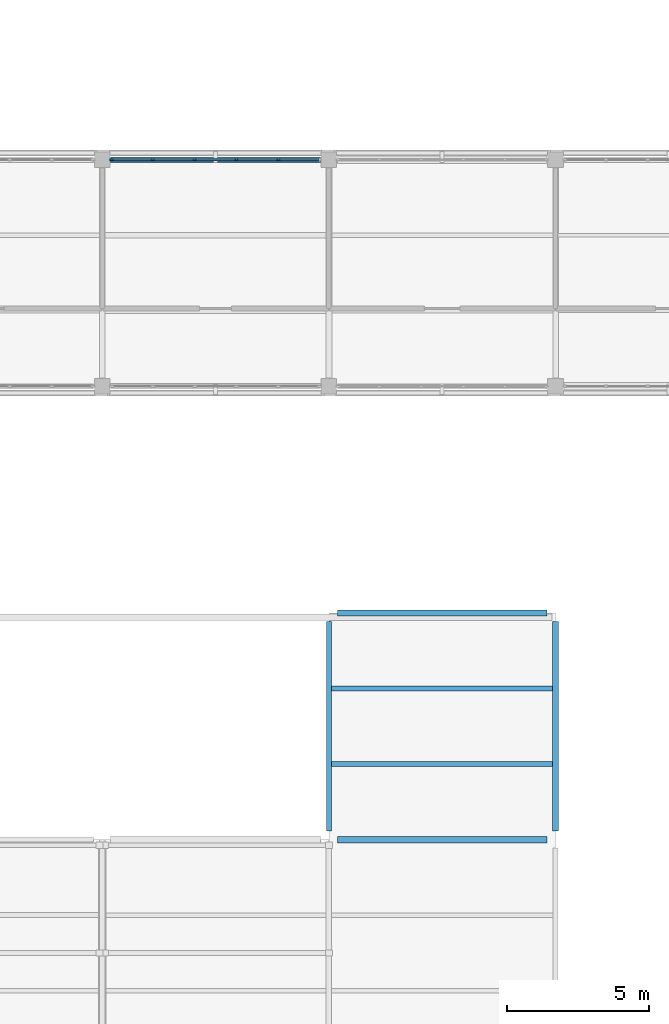
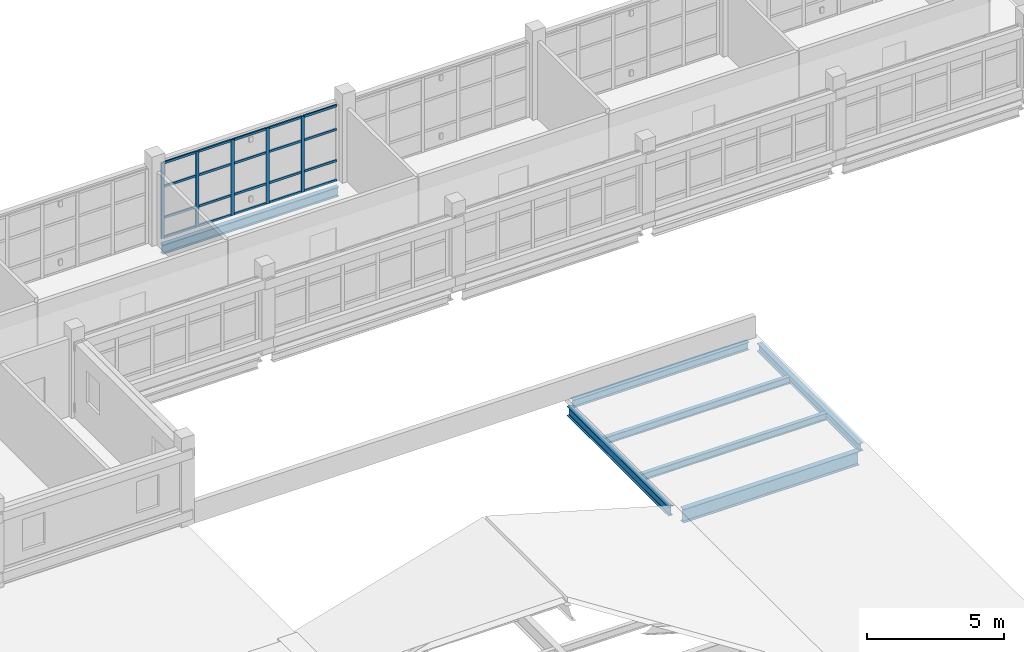
# One storey, part 12 of 107: 25 members, 7 beams, 1 element without a shape of its own.
"""IFC4 building model written with IfcOpenShell, lengths in metres."""

from ifc_helpers import new_model, si_unit, derived_unit, direction, frame, origin, origin_2d, place, context, subcontext, project, spatial, rectangle, i_section, extrude, material, layer, layer_set, material_profile, profile_set, type_object, element, aggregate, save


model = new_model("IFC4")

# Units and contexts
model_context = context("Model", 3, precision=1e-05, world=origin(), true_north=direction((0.0, 1.0)))
body_context = subcontext(model_context, "Body", "Model", "MODEL_VIEW")
ifc_project = project(units=[si_unit("LENGTHUNIT", "METRE"), si_unit("AREAUNIT", "SQUARE_METRE"), si_unit("VOLUMEUNIT", "CUBIC_METRE"), si_unit("PLANEANGLEUNIT", "RADIAN"), si_unit("MASSUNIT", "GRAM", prefix="KILO"), derived_unit("THERMALTRANSMITTANCEUNIT", [(si_unit("MASSUNIT", "GRAM", prefix="KILO"), 1), (si_unit("TIMEUNIT", "SECOND"), -3), (si_unit("THERMODYNAMICTEMPERATUREUNIT", "KELVIN"), -1)])], contexts=[model_context])

# Site, building, storey
site_placement = place(None, origin())
site = spatial("IfcSite", under=ifc_project, at=site_placement, CompositionType="ELEMENT")
building_placement = place(site_placement, origin())
building = spatial("IfcBuilding", under=site, at=building_placement, Name="Veyamyaing Civic Hall", CompositionType="ELEMENT")
storey_placement = place(building_placement, frame((0.0, 0.0, 13.860107421875)))
storey = spatial("IfcBuildingStorey", under=building, at=storey_placement, Name="L03", CompositionType="ELEMENT", Elevation=13.860107421875)

# Beams
ifc_material_1 = material(Name="Steel ASTM A992", Category="steel")
ifc_material_profile_1 = material_profile(ifc_material_1, i_section(OverallWidth=0.22802734375, OverallDepth=0.60791015625, WebThickness=0.01123046875, FlangeThickness=0.017333984375, FilletRadius=0.012939453125, at=origin_2d()), Name="W610X113")
ifc_profile_set_1 = profile_set([ifc_material_profile_1], Name="Steel ASTM A992")
beam_type_1 = type_object("IfcBeamType", Name="B-06", PredefinedType="BEAM", material=ifc_profile_set_1)
beam_1_placement = place(storey_placement, frame((32.300048828125, 32.0, -0.544189453125), z_axis=(1.0, 0.0, 0.0), x_axis=(0.0, 1.0, 0.0)))
element("IfcBeam", 1, at=beam_1_placement, inside=storey, type_object=beam_type_1, Name="Girder B-06 L03 Grid E 5-6", PredefinedType="BEAM", context=body_context, shape_type="SweptSolid", body=[
    extrude(i_section(OverallWidth=0.22802734375, OverallDepth=0.60791015625, WebThickness=0.01123046875, FlangeThickness=0.017333984375, FilletRadius=0.012939453125, at=origin_2d()), origin(), (0.0, 0.0, 1.0), 7.39990234375),
])
ifc_material_profile_2 = material_profile(ifc_material_1, i_section(OverallWidth=0.179931640625, OverallDepth=0.4130859375, WebThickness=0.009765625, FlangeThickness=0.01611328125, FilletRadius=0.010009765625, at=origin_2d()), Name="W410X74")
ifc_profile_set_2 = profile_set([ifc_material_profile_2], Name="Steel ASTM A992")
beam_type_2 = type_object("IfcBeamType", Name="B-10", PredefinedType="SPANDREL", material=ifc_profile_set_2)
beam_2_placement = place(storey_placement, frame((32.0, 32.300048828125, -0.446533203125), z_axis=(0.0, 1.0, 0.0), x_axis=(-1.0, 0.0, 0.0)))
element("IfcBeam", 2, at=beam_2_placement, inside=storey, type_object=beam_type_2, Name="Girder B-10 L03 Grid 5 E-F", PredefinedType="SPANDREL", context=body_context, shape_type="SweptSolid", body=[
    extrude(i_section(OverallWidth=0.179931640625, OverallDepth=0.4130859375, WebThickness=0.009765625, FlangeThickness=0.01611328125, FilletRadius=0.010009765625, at=origin_2d()), origin(), (0.0, 0.0, 1.0), 7.39990234375),
])
ifc_material_profile_3 = material_profile(ifc_material_1, i_section(OverallWidth=0.2041015625, OverallDepth=0.35009765625, WebThickness=0.0078125, FlangeThickness=0.01513671875, FilletRadius=0.010009765625, at=origin_2d()), Name="W360X72")
ifc_profile_set_3 = profile_set([ifc_material_profile_3], Name="Steel ASTM A992")
beam_type_3 = type_object("IfcBeamType", Name="B-11", PredefinedType="SPANDREL", material=ifc_profile_set_3)
for number, where, z_axis, x_axis, name in (
    (3, (32.300048828125, 40.0, -0.4150390625), (1.0, 0.0, 0.0), (0.0, 1.0, 0.0), "Girder B-11 L03 Grid F 5-6"),
    (4, (40.0, 32.300048828125, -0.4150390625), (0.0, 1.0, 0.0), (-1.0, 0.0, 0.0), "Girder B-11 L03 Grid 6 E-F"),
):
    element("IfcBeam", number, at=place(storey_placement, frame(where, z_axis=z_axis, x_axis=x_axis)), inside=storey, type_object=beam_type_3, Name=name, PredefinedType="SPANDREL", context=body_context, shape_type="SweptSolid", body=[
        extrude(i_section(OverallWidth=0.2041015625, OverallDepth=0.35009765625, WebThickness=0.0078125, FlangeThickness=0.01513671875, FilletRadius=0.010009765625, at=origin_2d()), origin(), (0.0, 0.0, 1.0), 7.39990234375),
    ])
ifc_material_profile_4 = material_profile(ifc_material_1, i_section(OverallWidth=0.180908203125, OverallDepth=0.4169921875, WebThickness=0.010986328125, FlangeThickness=0.018310546875, FilletRadius=0.010009765625, at=origin_2d()), Name="W410X85")
ifc_profile_set_4 = profile_set([ifc_material_profile_4], Name="Steel ASTM A992")
beam_type_4 = type_object("IfcBeamType", Name="B-19", PredefinedType="SPANDREL", material=ifc_profile_set_4)
beam_3_placement = place(storey_placement, frame((24.300048828125, 56.0, -0.463623046875), z_axis=(1.0, 0.0, 0.0), x_axis=(0.0, 1.0, 0.0)))
element("IfcBeam", 5, at=beam_3_placement, inside=storey, type_object=beam_type_4, Name="Girder B-19 L03 Grid H 4-5", PredefinedType="SPANDREL", context=body_context, shape_type="SweptSolid", body=[
    extrude(i_section(OverallWidth=0.180908203125, OverallDepth=0.4169921875, WebThickness=0.010986328125, FlangeThickness=0.018310546875, FilletRadius=0.010009765625, at=origin_2d()), origin(), (0.0, 0.0, 1.0), 7.39990234375),
])

# Curtain wall, members
ifc_material_2 = material(Name="Anodised aluminium 6063-T6", Category="aluminium")
ifc_layer = layer(ifc_material_2, 0.139892578125, Name="Anodised aluminium 6063-T6")
ifc_layer_set = layer_set([ifc_layer], Name="Anodised aluminium 6063-T6")
curtain_wall_type = type_object("IfcCurtainWallType", Name="CW-04", PredefinedType="NOTDEFINED", material=ifc_layer_set)
curtain_wall_placement = place(storey_placement, origin())
curtain_wall = element("IfcCurtainWall", 6, at=curtain_wall_placement, inside=storey, type_object=curtain_wall_type, Name="Unitized curtain wall CW-04 L03 N 4.7", PredefinedType="NOTDEFINED")
ifc_material_profile_5 = material_profile(ifc_material_2, rectangle(XDim=0.06005859375, YDim=0.139892578125, at=origin_2d()), Name="ALU-MUL-60X140")
ifc_profile_set_5 = profile_set([ifc_material_profile_5], Name="Anodised aluminium 6063-T6")
member_type_1 = type_object("IfcMemberType", Name="CWM-03", PredefinedType="MULLION", material=ifc_profile_set_5)
member_1_placement = place(storey_placement, frame((24.3349609375, 56.0, 0.0), z_axis=(0.0, 0.0, 1.0), x_axis=(0.0, 1.0, 0.0)))
member_1 = element("IfcMember", 7, at=member_1_placement, type_object=member_type_1, Name="CW-04 mullion 1", PredefinedType="MULLION", context=body_context, shape_type="SweptSolid", body=[
    extrude(rectangle(XDim=0.06005859375, YDim=0.139892578125, at=origin_2d()), origin(), (0.0, 0.0, 1.0), 3.364013671875),
])
member_2_placement = place(storey_placement, frame((25.782958984375, 56.0, 0.0), z_axis=(0.0, 0.0, 1.0), x_axis=(0.0, 1.0, 0.0)))
member_2 = element("IfcMember", 8, at=member_2_placement, type_object=member_type_1, Name="CW-04 mullion 2", PredefinedType="MULLION", context=body_context, shape_type="SweptSolid", body=[
    extrude(rectangle(XDim=0.06005859375, YDim=0.139892578125, at=origin_2d()), origin(), (0.0, 0.0, 1.0), 3.364013671875),
])
member_3_placement = place(storey_placement, frame((27.260986328125, 56.0, 0.0), z_axis=(0.0, 0.0, 1.0), x_axis=(0.0, 1.0, 0.0)))
member_3 = element("IfcMember", 9, at=member_3_placement, type_object=member_type_1, Name="CW-04 mullion 3", PredefinedType="MULLION", context=body_context, shape_type="SweptSolid", body=[
    extrude(rectangle(XDim=0.06005859375, YDim=0.139892578125, at=origin_2d()), origin(), (0.0, 0.0, 1.0), 3.364013671875),
])
member_4_placement = place(storey_placement, frame((28.739013671875, 56.0, 0.0), z_axis=(0.0, 0.0, 1.0), x_axis=(0.0, 1.0, 0.0)))
member_4 = element("IfcMember", 10, at=member_4_placement, type_object=member_type_1, Name="CW-04 mullion 4", PredefinedType="MULLION", context=body_context, shape_type="SweptSolid", body=[
    extrude(rectangle(XDim=0.06005859375, YDim=0.139892578125, at=origin_2d()), origin(), (0.0, 0.0, 1.0), 3.364013671875),
])
member_5_placement = place(storey_placement, frame((30.217041015625, 56.0, 0.0), z_axis=(0.0, 0.0, 1.0), x_axis=(0.0, 1.0, 0.0)))
member_5 = element("IfcMember", 11, at=member_5_placement, type_object=member_type_1, Name="CW-04 mullion 5", PredefinedType="MULLION", context=body_context, shape_type="SweptSolid", body=[
    extrude(rectangle(XDim=0.06005859375, YDim=0.139892578125, at=origin_2d()), origin(), (0.0, 0.0, 1.0), 3.364013671875),
])
ifc_material_profile_6 = material_profile(ifc_material_2, rectangle(XDim=0.06005859375, YDim=0.10009765625, at=origin_2d()), Name="ALU-TRN-60X100")
ifc_profile_set_6 = profile_set([ifc_material_profile_6], Name="Anodised aluminium 6063-T6")
member_type_2 = type_object("IfcMemberType", Name="CWT-03", PredefinedType="USERDEFINED", material=ifc_profile_set_6)
member_6_placement = place(storey_placement, frame((24.364990234375, 56.0, 0.02978515625), z_axis=(1.0, 0.0, 0.0), x_axis=(0.0, 1.0, 0.0)))
member_6 = element("IfcMember", 12, at=member_6_placement, type_object=member_type_2, Name="CW-04 transom 1.1", ObjectType="TRANSOM", PredefinedType="USERDEFINED", context=body_context, shape_type="SweptSolid", body=[
    extrude(rectangle(XDim=0.06005859375, YDim=0.10009765625, at=origin_2d()), origin(), (0.0, 0.0, 1.0), 1.387939453125),
])
member_7_placement = place(storey_placement, frame((24.364990234375, 56.0, 0.89990234375), z_axis=(1.0, 0.0, 0.0), x_axis=(0.0, 1.0, 0.0)))
member_7 = element("IfcMember", 13, at=member_7_placement, type_object=member_type_2, Name="CW-04 transom 1.2", ObjectType="TRANSOM", PredefinedType="USERDEFINED", context=body_context, shape_type="SweptSolid", body=[
    extrude(rectangle(XDim=0.06005859375, YDim=0.10009765625, at=origin_2d()), origin(), (0.0, 0.0, 1.0), 1.387939453125),
])
member_8_placement = place(storey_placement, frame((24.364990234375, 56.0, 2.287353515625), z_axis=(1.0, 0.0, 0.0), x_axis=(0.0, 1.0, 0.0)))
member_8 = element("IfcMember", 14, at=member_8_placement, type_object=member_type_2, Name="CW-04 transom 1.3", ObjectType="TRANSOM", PredefinedType="USERDEFINED", context=body_context, shape_type="SweptSolid", body=[
    extrude(rectangle(XDim=0.06005859375, YDim=0.10009765625, at=origin_2d()), origin(), (0.0, 0.0, 1.0), 1.387939453125),
])
member_9_placement = place(storey_placement, frame((24.364990234375, 56.0, 3.333984375), z_axis=(1.0, 0.0, 0.0), x_axis=(0.0, 1.0, 0.0)))
member_9 = element("IfcMember", 15, at=member_9_placement, type_object=member_type_2, Name="CW-04 transom 1.4", ObjectType="TRANSOM", PredefinedType="USERDEFINED", context=body_context, shape_type="SweptSolid", body=[
    extrude(rectangle(XDim=0.06005859375, YDim=0.10009765625, at=origin_2d()), origin(), (0.0, 0.0, 1.0), 1.387939453125),
])
member_10_placement = place(storey_placement, frame((25.81298828125, 56.0, 0.02978515625), z_axis=(1.0, 0.0, 0.0), x_axis=(0.0, 1.0, 0.0)))
member_10 = element("IfcMember", 16, at=member_10_placement, type_object=member_type_2, Name="CW-04 transom 2.1", ObjectType="TRANSOM", PredefinedType="USERDEFINED", context=body_context, shape_type="SweptSolid", body=[
    extrude(rectangle(XDim=0.06005859375, YDim=0.10009765625, at=origin_2d()), origin(), (0.0, 0.0, 1.0), 1.41796875),
])
member_11_placement = place(storey_placement, frame((25.81298828125, 56.0, 0.89990234375), z_axis=(1.0, 0.0, 0.0), x_axis=(0.0, 1.0, 0.0)))
member_11 = element("IfcMember", 17, at=member_11_placement, type_object=member_type_2, Name="CW-04 transom 2.2", ObjectType="TRANSOM", PredefinedType="USERDEFINED", context=body_context, shape_type="SweptSolid", body=[
    extrude(rectangle(XDim=0.06005859375, YDim=0.10009765625, at=origin_2d()), origin(), (0.0, 0.0, 1.0), 1.41796875),
])
member_12_placement = place(storey_placement, frame((25.81298828125, 56.0, 2.287353515625), z_axis=(1.0, 0.0, 0.0), x_axis=(0.0, 1.0, 0.0)))
member_12 = element("IfcMember", 18, at=member_12_placement, type_object=member_type_2, Name="CW-04 transom 2.3", ObjectType="TRANSOM", PredefinedType="USERDEFINED", context=body_context, shape_type="SweptSolid", body=[
    extrude(rectangle(XDim=0.06005859375, YDim=0.10009765625, at=origin_2d()), origin(), (0.0, 0.0, 1.0), 1.41796875),
])
member_13_placement = place(storey_placement, frame((25.81298828125, 56.0, 3.333984375), z_axis=(1.0, 0.0, 0.0), x_axis=(0.0, 1.0, 0.0)))
member_13 = element("IfcMember", 19, at=member_13_placement, type_object=member_type_2, Name="CW-04 transom 2.4", ObjectType="TRANSOM", PredefinedType="USERDEFINED", context=body_context, shape_type="SweptSolid", body=[
    extrude(rectangle(XDim=0.06005859375, YDim=0.10009765625, at=origin_2d()), origin(), (0.0, 0.0, 1.0), 1.41796875),
])
member_14_placement = place(storey_placement, frame((27.291015625, 56.0, 0.02978515625), z_axis=(1.0, 0.0, 0.0), x_axis=(0.0, 1.0, 0.0)))
member_14 = element("IfcMember", 20, at=member_14_placement, type_object=member_type_2, Name="CW-04 transom 3.1", ObjectType="TRANSOM", PredefinedType="USERDEFINED", context=body_context, shape_type="SweptSolid", body=[
    extrude(rectangle(XDim=0.06005859375, YDim=0.10009765625, at=origin_2d()), origin(), (0.0, 0.0, 1.0), 1.41796875),
])
member_15_placement = place(storey_placement, frame((27.291015625, 56.0, 0.89990234375), z_axis=(1.0, 0.0, 0.0), x_axis=(0.0, 1.0, 0.0)))
member_15 = element("IfcMember", 21, at=member_15_placement, type_object=member_type_2, Name="CW-04 transom 3.2", ObjectType="TRANSOM", PredefinedType="USERDEFINED", context=body_context, shape_type="SweptSolid", body=[
    extrude(rectangle(XDim=0.06005859375, YDim=0.10009765625, at=origin_2d()), origin(), (0.0, 0.0, 1.0), 1.41796875),
])
member_16_placement = place(storey_placement, frame((27.291015625, 56.0, 2.287353515625), z_axis=(1.0, 0.0, 0.0), x_axis=(0.0, 1.0, 0.0)))
member_16 = element("IfcMember", 22, at=member_16_placement, type_object=member_type_2, Name="CW-04 transom 3.3", ObjectType="TRANSOM", PredefinedType="USERDEFINED", context=body_context, shape_type="SweptSolid", body=[
    extrude(rectangle(XDim=0.06005859375, YDim=0.10009765625, at=origin_2d()), origin(), (0.0, 0.0, 1.0), 1.41796875),
])
member_17_placement = place(storey_placement, frame((27.291015625, 56.0, 3.333984375), z_axis=(1.0, 0.0, 0.0), x_axis=(0.0, 1.0, 0.0)))
member_17 = element("IfcMember", 23, at=member_17_placement, type_object=member_type_2, Name="CW-04 transom 3.4", ObjectType="TRANSOM", PredefinedType="USERDEFINED", context=body_context, shape_type="SweptSolid", body=[
    extrude(rectangle(XDim=0.06005859375, YDim=0.10009765625, at=origin_2d()), origin(), (0.0, 0.0, 1.0), 1.41796875),
])
member_18_placement = place(storey_placement, frame((28.76904296875, 56.0, 0.02978515625), z_axis=(1.0, 0.0, 0.0), x_axis=(0.0, 1.0, 0.0)))
member_18 = element("IfcMember", 24, at=member_18_placement, type_object=member_type_2, Name="CW-04 transom 4.1", ObjectType="TRANSOM", PredefinedType="USERDEFINED", context=body_context, shape_type="SweptSolid", body=[
    extrude(rectangle(XDim=0.06005859375, YDim=0.10009765625, at=origin_2d()), origin(), (0.0, 0.0, 1.0), 1.41796875),
])
member_19_placement = place(storey_placement, frame((28.76904296875, 56.0, 0.89990234375), z_axis=(1.0, 0.0, 0.0), x_axis=(0.0, 1.0, 0.0)))
member_19 = element("IfcMember", 25, at=member_19_placement, type_object=member_type_2, Name="CW-04 transom 4.2", ObjectType="TRANSOM", PredefinedType="USERDEFINED", context=body_context, shape_type="SweptSolid", body=[
    extrude(rectangle(XDim=0.06005859375, YDim=0.10009765625, at=origin_2d()), origin(), (0.0, 0.0, 1.0), 1.41796875),
])
member_20_placement = place(storey_placement, frame((28.76904296875, 56.0, 2.287353515625), z_axis=(1.0, 0.0, 0.0), x_axis=(0.0, 1.0, 0.0)))
member_20 = element("IfcMember", 26, at=member_20_placement, type_object=member_type_2, Name="CW-04 transom 4.3", ObjectType="TRANSOM", PredefinedType="USERDEFINED", context=body_context, shape_type="SweptSolid", body=[
    extrude(rectangle(XDim=0.06005859375, YDim=0.10009765625, at=origin_2d()), origin(), (0.0, 0.0, 1.0), 1.41796875),
])
member_21_placement = place(storey_placement, frame((28.76904296875, 56.0, 3.333984375), z_axis=(1.0, 0.0, 0.0), x_axis=(0.0, 1.0, 0.0)))
member_21 = element("IfcMember", 27, at=member_21_placement, type_object=member_type_2, Name="CW-04 transom 4.4", ObjectType="TRANSOM", PredefinedType="USERDEFINED", context=body_context, shape_type="SweptSolid", body=[
    extrude(rectangle(XDim=0.06005859375, YDim=0.10009765625, at=origin_2d()), origin(), (0.0, 0.0, 1.0), 1.41796875),
])
member_22_placement = place(storey_placement, frame((30.2470703125, 56.0, 0.02978515625), z_axis=(1.0, 0.0, 0.0), x_axis=(0.0, 1.0, 0.0)))
member_22 = element("IfcMember", 28, at=member_22_placement, type_object=member_type_2, Name="CW-04 transom 5.1", ObjectType="TRANSOM", PredefinedType="USERDEFINED", context=body_context, shape_type="SweptSolid", body=[
    extrude(rectangle(XDim=0.06005859375, YDim=0.10009765625, at=origin_2d()), origin(), (0.0, 0.0, 1.0), 1.387939453125),
])
member_23_placement = place(storey_placement, frame((30.2470703125, 56.0, 0.89990234375), z_axis=(1.0, 0.0, 0.0), x_axis=(0.0, 1.0, 0.0)))
member_23 = element("IfcMember", 29, at=member_23_placement, type_object=member_type_2, Name="CW-04 transom 5.2", ObjectType="TRANSOM", PredefinedType="USERDEFINED", context=body_context, shape_type="SweptSolid", body=[
    extrude(rectangle(XDim=0.06005859375, YDim=0.10009765625, at=origin_2d()), origin(), (0.0, 0.0, 1.0), 1.387939453125),
])
member_24_placement = place(storey_placement, frame((30.2470703125, 56.0, 2.287353515625), z_axis=(1.0, 0.0, 0.0), x_axis=(0.0, 1.0, 0.0)))
member_24 = element("IfcMember", 30, at=member_24_placement, type_object=member_type_2, Name="CW-04 transom 5.3", ObjectType="TRANSOM", PredefinedType="USERDEFINED", context=body_context, shape_type="SweptSolid", body=[
    extrude(rectangle(XDim=0.06005859375, YDim=0.10009765625, at=origin_2d()), origin(), (0.0, 0.0, 1.0), 1.387939453125),
])
member_25_placement = place(storey_placement, frame((30.2470703125, 56.0, 3.333984375), z_axis=(1.0, 0.0, 0.0), x_axis=(0.0, 1.0, 0.0)))
member_25 = element("IfcMember", 31, at=member_25_placement, type_object=member_type_2, Name="CW-04 transom 5.4", ObjectType="TRANSOM", PredefinedType="USERDEFINED", context=body_context, shape_type="SweptSolid", body=[
    extrude(rectangle(XDim=0.06005859375, YDim=0.10009765625, at=origin_2d()), origin(), (0.0, 0.0, 1.0), 1.387939453125),
])
aggregate(curtain_wall, [member_1, member_2, member_3, member_4, member_5, member_6, member_7, member_8, member_9, member_10, member_11, member_12, member_13, member_14, member_15, member_16, member_17, member_18, member_19, member_20, member_21, member_22, member_23, member_24, member_25])

# Beams
ifc_material_profile_7 = material_profile(ifc_material_1, i_section(OverallWidth=0.1650390625, OverallDepth=0.31005859375, WebThickness=0.005859375, FlangeThickness=0.009765625, FilletRadius=0.010009765625, at=origin_2d()), Name="W310X39")
ifc_profile_set_7 = profile_set([ifc_material_profile_7], Name="Steel ASTM A992")
beam_type_5 = type_object("IfcBeamType", Name="J-05", PredefinedType="JOIST", material=ifc_profile_set_7)
for number, where, z_axis, x_axis, name in (
    (32, (32.087890625, 34.666748046875, -0.39501953125), (1.0, 0.0, 0.0), (0.0, 1.0, 0.0), "Composite floor joist J-05 L03 5.5.1"),
    (33, (32.087890625, 37.333251953125, -0.39501953125), (1.0, 0.0, 0.0), (0.0, 1.0, 0.0), "Composite floor joist J-05 L03 5.5.2"),
):
    element("IfcBeam", number, at=place(storey_placement, frame(where, z_axis=z_axis, x_axis=x_axis)), inside=storey, type_object=beam_type_5, Name=name, PredefinedType="JOIST", context=body_context, shape_type="SweptSolid", body=[
        extrude(i_section(OverallWidth=0.1650390625, OverallDepth=0.31005859375, WebThickness=0.005859375, FlangeThickness=0.009765625, FilletRadius=0.010009765625, at=origin_2d()), origin(), (0.0, 0.0, 1.0), 7.81201171875),
    ])

save(model, "model.ifc")
